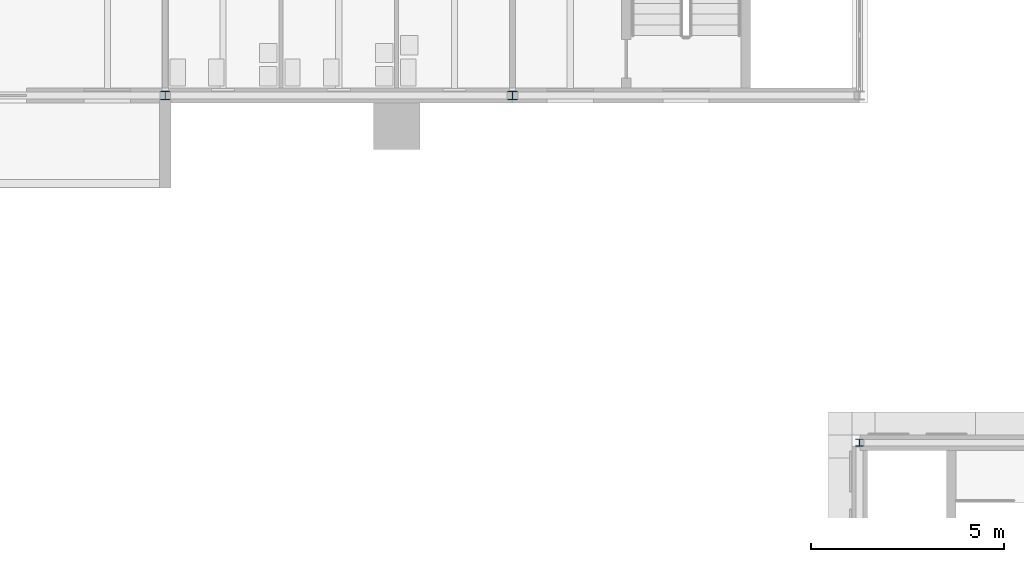
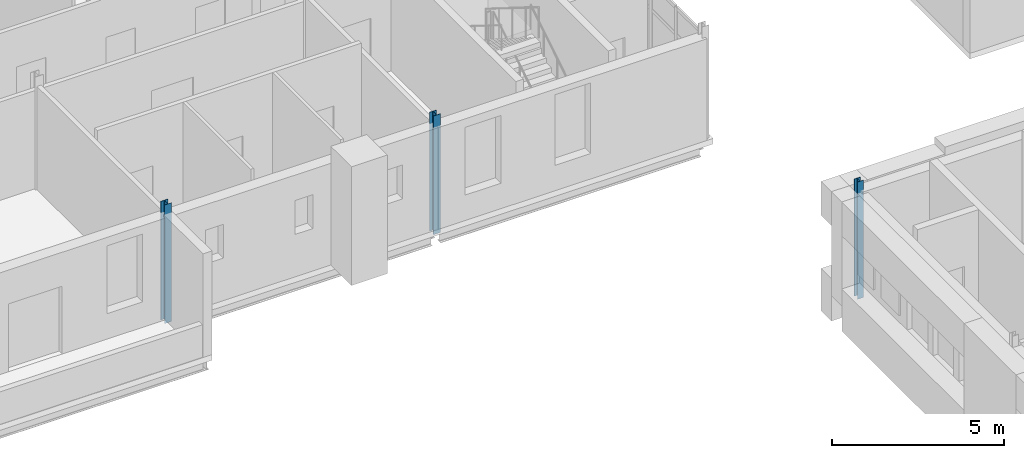
# One storey, part 11 of 154: 3 columns.
"""IFC4 building model written with IfcOpenShell, lengths in metres."""

import ifcopenshell
import ifcopenshell.guid

model = None  # the IFC model being written
_history = None  # IfcOwnerHistory: only IFC2X3 demands one
_inside = {}  # id of a spatial element -> (the spatial element, [elements in it])
_under = {}  # id of a project, library or spatial element -> (it, [spatial elements below it])
_declared = {}  # id of a project -> (the project, [libraries it declares])
_typed = {}  # id of a type object -> (the type object, [elements of that type])
_made_of = {}  # id of a material, layer set ... -> (it, [elements and type objects made of it])


def new_model(schema):
    """Start an empty IFC model of exactly this schema.

    Asked for "IFC4X3", IfcOpenShell would pick the latest addendum, in which some entities
    have other attributes; the version numbers below select the first issue.
    IFC2X3 requires an IfcOwnerHistory on every rooted entity: one is made here for all.
    """
    global model, _history
    if schema == "IFC4X3":
        model = ifcopenshell.file(schema_version=(4, 3, 0, 0))
    else:
        model = ifcopenshell.file(schema=schema)
    _inside.clear()
    _under.clear()
    _declared.clear()
    _typed.clear()
    _made_of.clear()
    _history = None
    if model.schema == "IFC2X3":
        org = make("IfcOrganization", Name="unknown")
        user = make(
            "IfcPersonAndOrganization",
            ThePerson=make("IfcPerson", FamilyName="unknown"),
            TheOrganization=org,
        )
        app = make(
            "IfcApplication",
            ApplicationDeveloper=org,
            Version="unknown",
            ApplicationFullName="unknown",
            ApplicationIdentifier="unknown",
        )
        _history = make(
            "IfcOwnerHistory",
            OwningUser=user,
            OwningApplication=app,
            ChangeAction="ADDED",
            CreationDate=0,
        )
    return model


def make(cls, **values):
    """One entity of the class cls with the attributes given. An attribute that is None is left unset."""
    return model.create_entity(
        cls, **{name: value for name, value in values.items() if value is not None}
    )


def rooted(cls, **values):
    """An entity with a GlobalId (a new one), such as an element, a storey or a relation."""
    return make(cls, GlobalId=ifcopenshell.guid.new(), OwnerHistory=_history, **values)


def si_unit(unit_type, name, prefix=None):
    """IfcSIUnit, for example si_unit("LENGTHUNIT", "METRE", prefix="MILLI")."""
    return make("IfcSIUnit", UnitType=unit_type, Prefix=prefix, Name=name)


def assignment(units):
    """IfcUnitAssignment: the units of a project."""
    return None if units is None else make("IfcUnitAssignment", Units=units)


def point(xyz):
    """IfcCartesianPoint."""
    return None if xyz is None else make("IfcCartesianPoint", Coordinates=xyz)


def direction(xyz):
    """IfcDirection."""
    return None if xyz is None else make("IfcDirection", DirectionRatios=xyz)


def frame(location, z_axis=None, x_axis=None):
    """IfcAxis2Placement3D, a coordinate frame: its origin and axes. An axis left out is left unset."""
    return make(
        "IfcAxis2Placement3D",
        Location=point(location),
        Axis=direction(z_axis),
        RefDirection=direction(x_axis),
    )


def frame_2d(location, x_axis=None):
    """IfcAxis2Placement2D, a coordinate frame in the plane: its origin and x axis."""
    return make(
        "IfcAxis2Placement2D", Location=point(location), RefDirection=direction(x_axis)
    )


def origin():
    """The frame at (0, 0, 0) with its axes left unset."""
    return frame((0.0, 0.0, 0.0))


def origin_2d():
    """The frame at (0, 0) in the plane with its x axis left unset."""
    return frame_2d((0.0, 0.0))


def place(relative_to, where):
    """IfcLocalPlacement: puts the frame where relative to a parent placement (None: the world)."""
    return make(
        "IfcLocalPlacement", PlacementRelTo=relative_to, RelativePlacement=where
    )


def context(
    kind, dimensions, precision=None, world=None, true_north=None, identifier=None
):
    """IfcGeometricRepresentationContext, for example the 3D "Model" context."""
    return make(
        "IfcGeometricRepresentationContext",
        ContextIdentifier=identifier,
        ContextType=kind,
        CoordinateSpaceDimension=dimensions,
        Precision=precision,
        WorldCoordinateSystem=world,
        TrueNorth=true_north,
    )


def subcontext(parent, identifier, kind, view, scale=None):
    """IfcGeometricRepresentationSubContext, for example "Body" below "Model"."""
    return make(
        "IfcGeometricRepresentationSubContext",
        ContextIdentifier=identifier,
        ContextType=kind,
        ParentContext=parent,
        TargetScale=scale,
        TargetView=view,
    )


def project(units=None, contexts=None):
    """IfcProject with its units and contexts."""
    return rooted(
        "IfcProject",
        Name="project",
        RepresentationContexts=contexts,
        UnitsInContext=assignment(units),
    )


def spatial(cls, under=None, at=None, **own):
    """A site, building, storey or space (cls), placed at a placement, below another one or the project."""
    s = rooted(cls, ObjectPlacement=at, **own)
    if under is not None:
        _under.setdefault(under.id(), (under, []))[1].append(s)
    return s


def profile(cls, at=None, kind="AREA", **sizes):
    """A parametric profile (cls). Its sizes go by their IFC names, for example OverallWidth=200.0."""
    return make(cls, ProfileType=kind, Position=at, **sizes)


def i_section(**sizes):
    """IfcIShapeProfileDef."""
    return profile("IfcIShapeProfileDef", **sizes)


def extrude(swept, where, along, depth):
    """IfcExtrudedAreaSolid: the profile swept, set in the frame where, extruded along a direction by depth."""
    return make(
        "IfcExtrudedAreaSolid",
        SweptArea=swept,
        Position=where,
        ExtrudedDirection=direction(along),
        Depth=depth,
    )


def shape(context_of_items, identifier, shape_type, items):
    """IfcShapeRepresentation: the items that make up one representation, for example the "Body"."""
    return make(
        "IfcShapeRepresentation",
        ContextOfItems=context_of_items,
        RepresentationIdentifier=identifier,
        RepresentationType=shape_type,
        Items=items,
    )


def material(Name=None, Category=None):
    """IfcMaterial."""
    return make("IfcMaterial", Name=Name, Category=Category)


def material_profile(
    of_material, cross_section, Name=None, Category=None, Priority=None
):
    """IfcMaterialProfile: a cross section and its material."""
    return make(
        "IfcMaterialProfile",
        Name=Name,
        Material=of_material,
        Profile=cross_section,
        Priority=Priority,
        Category=Category,
    )


def profile_set(profiles, Name=None, composite=None):
    """IfcMaterialProfileSet."""
    return make(
        "IfcMaterialProfileSet",
        Name=Name,
        MaterialProfiles=profiles,
        CompositeProfile=composite,
    )


def made_of(thing, what):
    """Note that an element or type object is made of a material, layer set ...; save() writes the relation."""
    if what is not None:
        _made_of.setdefault(what.id(), (what, []))[1].append(thing)
    return thing


def type_object(cls, material=None, **own):
    """A type object (cls), such as IfcWallType, which elements share."""
    return made_of(rooted(cls, **own), material)


def element(
    cls,
    number,
    at=None,
    inside=None,
    cuts=None,
    type_object=None,
    material=None,
    context=None,
    identifier="Body",
    shape_type=None,
    held_by="IfcProductDefinitionShape",
    body=None,
    shapes=None,
    **own,
):
    """One element of the class cls, such as IfcWall. Its Tag is "e" and its number.

    at: its placement. inside: the storey or other place that contains it. cuts: it is an
    opening in that element (IfcRelVoidsElement). A single representation is given by context,
    identifier, shape_type and body (its items); several are given by shapes. held_by: the class
    of the entity that holds the representations. save() writes the other relations.
    """
    e = rooted(cls, Tag="e%d" % number, ObjectPlacement=at, **own)
    if body is not None:
        shapes = [shape(context, identifier, shape_type, body)]
    if shapes is not None:
        e.Representation = make(held_by, Representations=shapes)
    if inside is not None:
        _inside.setdefault(inside.id(), (inside, []))[1].append(e)
    if cuts is not None:
        rooted(
            "IfcRelVoidsElement", RelatingBuildingElement=cuts, RelatedOpeningElement=e
        )
    if type_object is not None:
        _typed.setdefault(type_object.id(), (type_object, []))[1].append(e)
    return made_of(e, material)


def aggregate(whole, parts):
    """IfcRelAggregates: a whole, such as a stair, and the parts it consists of."""
    return rooted("IfcRelAggregates", RelatingObject=whole, RelatedObjects=parts)


def save(model, path):
    """Write the relations noted so far, then the file.

    IfcRelAggregates (storeys below a building ...), IfcRelContainedInSpatialStructure (elements
    in a storey), IfcRelDefinesByType, IfcRelAssociatesMaterial and IfcRelDeclares: one each for
    every whole, place, type object, material and project.
    """
    for whole, parts in _under.values():
        aggregate(whole, parts)
    for where, things in _inside.values():
        rooted(
            "IfcRelContainedInSpatialStructure",
            RelatedElements=things,
            RelatingStructure=where,
        )
    for kind, things in _typed.values():
        rooted("IfcRelDefinesByType", RelatedObjects=things, RelatingType=kind)
    for what, things in _made_of.values():
        rooted("IfcRelAssociatesMaterial", RelatedObjects=things, RelatingMaterial=what)
    for by, libraries in _declared.values():
        rooted("IfcRelDeclares", RelatingContext=by, RelatedDefinitions=libraries)
    model.write(path)


model = new_model("IFC4")

# Units and contexts
model_context = context("Model", 3, precision=1e-05, world=origin(), true_north=direction((0.0, 1.0)))
body_context = subcontext(model_context, "Body", "Model", "MODEL_VIEW")
ifc_project = project(units=[si_unit("LENGTHUNIT", "METRE"), si_unit("AREAUNIT", "SQUARE_METRE"), si_unit("VOLUMEUNIT", "CUBIC_METRE"), si_unit("PLANEANGLEUNIT", "RADIAN"), si_unit("MASSUNIT", "GRAM", prefix="KILO")], contexts=[model_context])

# Site, building, storey
site_placement = place(None, origin())
site = spatial("IfcSite", under=ifc_project, at=site_placement, CompositionType="ELEMENT")
building_placement = place(site_placement, origin())
building = spatial("IfcBuilding", under=site, at=building_placement, Name="Golden Quay Civic Hall", CompositionType="ELEMENT")
storey_placement = place(building_placement, frame((0.0, 0.0, 14.39990234375)))
storey = spatial("IfcBuildingStorey", under=building, at=storey_placement, Name="L03", CompositionType="ELEMENT", Elevation=14.39990234375)

# Columns
ifc_material_1 = material(Name="Steel S355", Category="steel")
ifc_material_profile_1 = material_profile(ifc_material_1, i_section(OverallWidth=0.199951171875, OverallDepth=0.18994140625, WebThickness=0.006591796875, FlangeThickness=0.010009765625, FilletRadius=0.01806640625, at=origin_2d()), Name="HEA 200")
ifc_profile_set_1 = profile_set([ifc_material_profile_1], Name="Steel S355")
column_type_1 = type_object("IfcColumnType", Name="Steel column HEA 200", PredefinedType="COLUMN", material=ifc_profile_set_1)
column_placement = place(storey_placement, frame((54.0, 54.0, -0.199951171875), z_axis=(0.0, 0.0, 1.0), x_axis=(1.0, 0.0, 0.0)))
element("IfcColumn", 1, at=column_placement, inside=storey, type_object=column_type_1, Name="Column 54/54 L03", PredefinedType="COLUMN", context=body_context, shape_type="SweptSolid", body=[
    extrude(i_section(OverallWidth=0.199951171875, OverallDepth=0.18994140625, WebThickness=0.006591796875, FlangeThickness=0.010009765625, FilletRadius=0.01806640625, at=origin_2d()), origin(), (0.0, 0.0, 1.0), 4.150146484375),
])
ifc_material_2 = material(Name="Steel S355", Category="steel")
ifc_material_profile_2 = material_profile(ifc_material_2, i_section(OverallWidth=0.239990234375, OverallDepth=0.22998046875, WebThickness=0.007568359375, FlangeThickness=0.011962890625, FilletRadius=0.02099609375, at=origin_2d()), Name="HEA 240")
ifc_profile_set_2 = profile_set([ifc_material_profile_2], Name="Steel S355")
column_type_2 = type_object("IfcColumnType", Name="Steel column HEA 240", PredefinedType="COLUMN", material=ifc_profile_set_2)
for number, where, z_axis, x_axis, name in (
    (2, (36.0, 63.0, -0.199951171875), (0.0, 0.0, 1.0), (1.0, 0.0, 0.0), "Column 36/63 L03"),
    (3, (45.0, 63.0, -0.199951171875), (0.0, 0.0, 1.0), (1.0, 0.0, 0.0), "Column 45/63 L03"),
):
    element("IfcColumn", number, at=place(storey_placement, frame(where, z_axis=z_axis, x_axis=x_axis)), inside=storey, type_object=column_type_2, Name=name, PredefinedType="COLUMN", context=body_context, shape_type="SweptSolid", body=[
        extrude(i_section(OverallWidth=0.239990234375, OverallDepth=0.22998046875, WebThickness=0.007568359375, FlangeThickness=0.011962890625, FilletRadius=0.02099609375, at=origin_2d()), origin(), (0.0, 0.0, 1.0), 4.199951171875),
    ])

save(model, "model.ifc")
